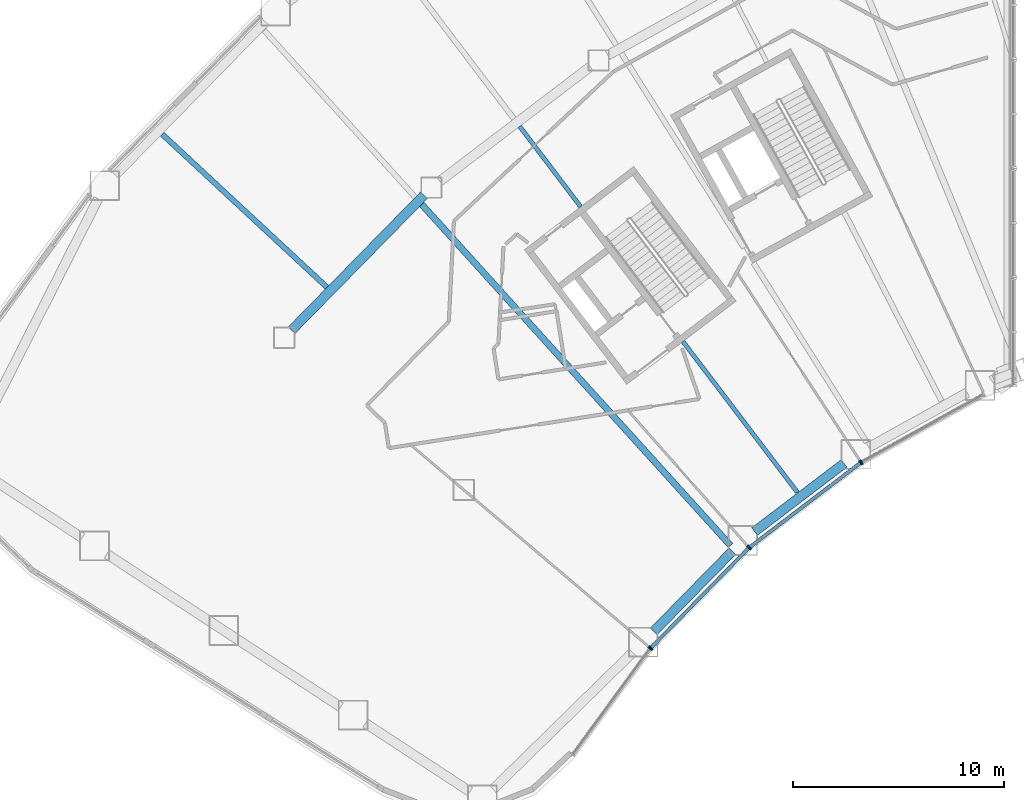
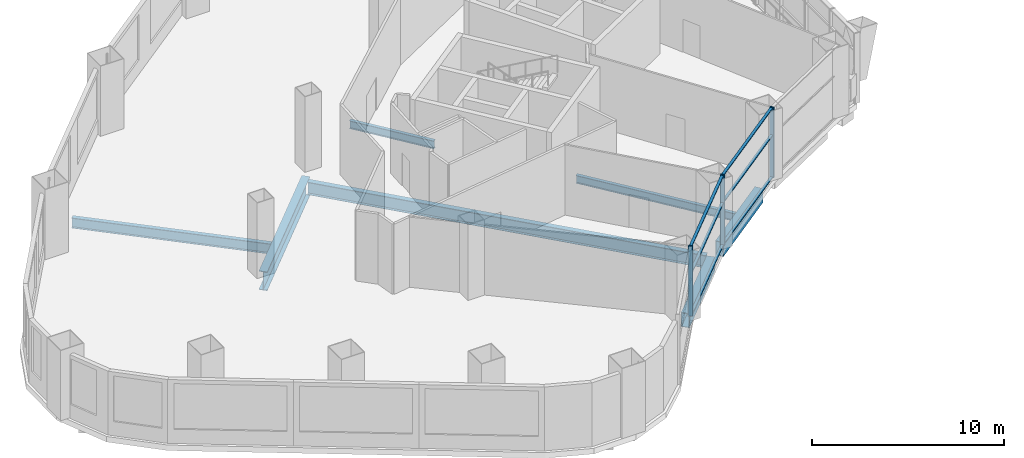
# One storey, part 4 of 26: 12 members, 7 beams, 4 elements without a shape of their own.
"""IFC4 building model written with IfcOpenShell, lengths in metres."""

from ifc_helpers import new_model, si_unit, direction, frame, origin, origin_2d, place, context, subcontext, project, spatial, rectangle, hollow_rectangle, i_section, extrude, material, layer, layer_set, material_profile, profile_set, type_object, element, aggregate, save


model = new_model("IFC4")

# Units and contexts
model_context = context("Model", 3, precision=1e-05, world=origin(), true_north=direction((0.0, 1.0)))
body_context = subcontext(model_context, "Body", "Model", "MODEL_VIEW")
ifc_project = project(units=[si_unit("LENGTHUNIT", "METRE"), si_unit("AREAUNIT", "SQUARE_METRE"), si_unit("VOLUMEUNIT", "CUBIC_METRE"), si_unit("PLANEANGLEUNIT", "RADIAN"), si_unit("MASSUNIT", "GRAM", prefix="KILO")], contexts=[model_context])

# Site, building, storey
site_placement = place(None, origin())
site = spatial("IfcSite", under=ifc_project, at=site_placement, CompositionType="ELEMENT")
building_placement = place(site_placement, origin())
building = spatial("IfcBuilding", under=site, at=building_placement, Name="Tuul Gate Civic Tower", CompositionType="ELEMENT")
storey_placement = place(building_placement, frame((0.0, 0.0, 7.5)))
storey = spatial("IfcBuildingStorey", under=building, at=storey_placement, Name="Level 01", CompositionType="ELEMENT", Elevation=7.5)

# Curtain wall, member
ifc_material_1 = material(Name="Aluminium", Category="aluminium")
ifc_layer = layer(ifc_material_1, 0.199951171875)
ifc_layer_set = layer_set([ifc_layer], Name="Aluminium")
curtain_wall_type = type_object("IfcCurtainWallType", Name="Curtain wall CW6", PredefinedType="NOTDEFINED", material=ifc_layer_set)
curtain_wall_1_placement = place(storey_placement, origin())
curtain_wall_1 = element("IfcCurtainWall", 1, at=curtain_wall_1_placement, inside=storey, type_object=curtain_wall_type, Name="Curtain wall CW6", PredefinedType="NOTDEFINED")
ifc_material_2 = material(Name="Aluminium", Category="aluminium")
ifc_material_profile_1 = material_profile(ifc_material_2, rectangle(XDim=0.239990234375, YDim=0.06005859375, at=origin_2d()), Name="CW6 mullion")
ifc_profile_set_1 = profile_set([ifc_material_profile_1], Name="Aluminium")
member_type_1 = type_object("IfcMemberType", Name="CW6 mullion", PredefinedType="MULLION", material=ifc_profile_set_1)
member_1_placement = place(storey_placement, frame((-35.165771484375, -30.231201171875, 0.0), z_axis=(0.0, 0.0, 1.0), x_axis=(-0.807581267597, 0.589756302404, 0.0)))
member_1 = element("IfcMember", 2, at=member_1_placement, type_object=member_type_1, Name="Mullion", PredefinedType="MULLION", context=body_context, shape_type="SweptSolid", body=[
    extrude(rectangle(XDim=0.239990234375, YDim=0.06005859375, at=origin_2d()), origin(), (0.0, 0.0, 1.0), 4.449951171875),
])
aggregate(curtain_wall_1, [member_1])

# Curtain wall, members
curtain_wall_2_placement = place(storey_placement, origin())
curtain_wall_2 = element("IfcCurtainWall", 3, at=curtain_wall_2_placement, inside=storey, type_object=curtain_wall_type, Name="Curtain wall CW6", PredefinedType="NOTDEFINED")
member_2_placement = place(storey_placement, frame((-35.126953125, -30.185546875, 0.0), z_axis=(0.0, 0.0, 1.0), x_axis=(-0.714131733701, 0.700011333423, 0.0)))
member_2 = element("IfcMember", 4, at=member_2_placement, type_object=member_type_1, Name="Mullion", PredefinedType="MULLION", context=body_context, shape_type="SweptSolid", body=[
    extrude(rectangle(XDim=0.239990234375, YDim=0.06005859375, at=origin_2d()), origin(), (0.0, 0.0, 1.0), 4.449951171875),
])
member_3_placement = place(storey_placement, frame((-30.509033203125, -25.474365234375, 0.0), z_axis=(0.0, 0.0, 1.0), x_axis=(-0.714131733701, 0.700011333423, 0.0)))
member_3 = element("IfcMember", 5, at=member_3_placement, type_object=member_type_1, Name="Mullion", PredefinedType="MULLION", context=body_context, shape_type="SweptSolid", body=[
    extrude(rectangle(XDim=0.239990234375, YDim=0.06005859375, at=origin_2d()), origin(), (0.0, 0.0, 1.0), 4.449951171875),
])

curtain_wall_3_placement = place(storey_placement, origin())
curtain_wall_3 = element("IfcCurtainWall", 6, at=curtain_wall_3_placement, inside=storey, type_object=curtain_wall_type, Name="Curtain wall CW6", PredefinedType="NOTDEFINED")
member_4_placement = place(storey_placement, frame((-30.464111328125, -25.434814453125, 0.0), z_axis=(0.0, 0.0, 1.0), x_axis=(-0.605776174218, 0.795635109048, 0.0)))
member_4 = element("IfcMember", 7, at=member_4_placement, type_object=member_type_1, Name="Mullion", PredefinedType="MULLION", context=body_context, shape_type="SweptSolid", body=[
    extrude(rectangle(XDim=0.239990234375, YDim=0.06005859375, at=origin_2d()), origin(), (0.0, 0.0, 1.0), 4.449951171875),
])
member_5_placement = place(storey_placement, frame((-25.21484375, -21.438232421875, 0.0), z_axis=(0.0, 0.0, 1.0), x_axis=(-0.605776174218, 0.795635109048, 0.0)))
member_5 = element("IfcMember", 8, at=member_5_placement, type_object=member_type_1, Name="Mullion", PredefinedType="MULLION", context=body_context, shape_type="SweptSolid", body=[
    extrude(rectangle(XDim=0.239990234375, YDim=0.06005859375, at=origin_2d()), origin(), (0.0, 0.0, 1.0), 4.449951171875),
])

# Curtain wall, member
curtain_wall_4_placement = place(storey_placement, origin())
curtain_wall_4 = element("IfcCurtainWall", 9, at=curtain_wall_4_placement, inside=storey, type_object=curtain_wall_type, Name="Curtain wall CW6", PredefinedType="NOTDEFINED")
member_6_placement = place(storey_placement, frame((-25.164794921875, -21.405517578125, 0.0), z_axis=(0.0, 0.0, 1.0), x_axis=(-0.484724404523, 0.87466693756, 0.0)))
member_6 = element("IfcMember", 10, at=member_6_placement, type_object=member_type_1, Name="Mullion", PredefinedType="MULLION", context=body_context, shape_type="SweptSolid", body=[
    extrude(rectangle(XDim=0.239990234375, YDim=0.06005859375, at=origin_2d()), origin(), (0.0, 0.0, 1.0), 4.449951171875),
])
aggregate(curtain_wall_4, [member_6])

# Member
ifc_material_3 = material(Name="Aluminium", Category="aluminium")
ifc_material_profile_2 = material_profile(ifc_material_3, rectangle(XDim=0.159912109375, YDim=0.06005859375, at=origin_2d()), Name="CW6 transom")
ifc_profile_set_2 = profile_set([ifc_material_profile_2], Name="Aluminium")
member_type_2 = type_object("IfcMemberType", Name="CW6 transom", PredefinedType="USERDEFINED", material=ifc_profile_set_2)
member_7_placement = place(storey_placement, frame((-35.10595703125, -30.1640625, 0.030029296875), z_axis=(0.700012783767, 0.714130312032, 0.0), x_axis=(-0.714130312032, 0.700012783767, 0.0)))
member_7 = element("IfcMember", 11, at=member_7_placement, type_object=member_type_2, Name="Transom", ObjectType="TRANSOM", PredefinedType="USERDEFINED", context=body_context, shape_type="SweptSolid", body=[
    extrude(rectangle(XDim=0.159912109375, YDim=0.06005859375, at=origin_2d()), origin(), (0.0, 0.0, 1.0), 6.536865234375),
])

member_8_placement = place(storey_placement, frame((-35.10595703125, -30.1640625, 2.699951171875), z_axis=(0.700012783767, 0.714130312032, 0.0), x_axis=(-0.714130312032, 0.700012783767, 0.0)))
member_8 = element("IfcMember", 12, at=member_8_placement, type_object=member_type_2, Name="Transom", ObjectType="TRANSOM", PredefinedType="USERDEFINED", context=body_context, shape_type="SweptSolid", body=[
    extrude(rectangle(XDim=0.159912109375, YDim=0.06005859375, at=origin_2d()), origin(), (0.0, 0.0, 1.0), 6.536865234375),
])

member_9_placement = place(storey_placement, frame((-35.10595703125, -30.1640625, 4.419921875), z_axis=(0.700012783767, 0.714130312032, 0.0), x_axis=(-0.714130312032, 0.700012783767, 0.0)))
member_9 = element("IfcMember", 13, at=member_9_placement, type_object=member_type_2, Name="Transom", ObjectType="TRANSOM", PredefinedType="USERDEFINED", context=body_context, shape_type="SweptSolid", body=[
    extrude(rectangle(XDim=0.159912109375, YDim=0.06005859375, at=origin_2d()), origin(), (0.0, 0.0, 1.0), 6.536865234375),
])

aggregate(curtain_wall_2, [member_2, member_3, member_7, member_8, member_9])

member_10_placement = place(storey_placement, frame((-30.440185546875, -25.416748046875, 0.030029296875), z_axis=(0.79561856404, 0.605797904053, 0.0), x_axis=(-0.605797904053, 0.79561856404, 0.0)))
member_10 = element("IfcMember", 14, at=member_10_placement, type_object=member_type_2, Name="Transom", ObjectType="TRANSOM", PredefinedType="USERDEFINED", context=body_context, shape_type="SweptSolid", body=[
    extrude(rectangle(XDim=0.159912109375, YDim=0.06005859375, at=origin_2d()), origin(), (0.0, 0.0, 1.0), 6.53759765625),
])

member_11_placement = place(storey_placement, frame((-30.440185546875, -25.416748046875, 2.699951171875), z_axis=(0.79561856404, 0.605797904053, 0.0), x_axis=(-0.605797904053, 0.79561856404, 0.0)))
member_11 = element("IfcMember", 15, at=member_11_placement, type_object=member_type_2, Name="Transom", ObjectType="TRANSOM", PredefinedType="USERDEFINED", context=body_context, shape_type="SweptSolid", body=[
    extrude(rectangle(XDim=0.159912109375, YDim=0.06005859375, at=origin_2d()), origin(), (0.0, 0.0, 1.0), 6.53759765625),
])

member_12_placement = place(storey_placement, frame((-30.440185546875, -25.416748046875, 4.419921875), z_axis=(0.79561856404, 0.605797904053, 0.0), x_axis=(-0.605797904053, 0.79561856404, 0.0)))
member_12 = element("IfcMember", 16, at=member_12_placement, type_object=member_type_2, Name="Transom", ObjectType="TRANSOM", PredefinedType="USERDEFINED", context=body_context, shape_type="SweptSolid", body=[
    extrude(rectangle(XDim=0.159912109375, YDim=0.06005859375, at=origin_2d()), origin(), (0.0, 0.0, 1.0), 6.53759765625),
])

aggregate(curtain_wall_3, [member_4, member_5, member_10, member_11, member_12])

# Beams
ifc_material_4 = material(Name="Steel S355", Category="steel")
ifc_material_profile_3 = material_profile(ifc_material_4, i_section(OverallWidth=0.199951171875, OverallDepth=0.5, WebThickness=0.010009765625, FlangeThickness=0.01611328125, at=origin_2d()), Name="PG500x200x10x16")
ifc_profile_set_3 = profile_set([ifc_material_profile_3], Name="Steel S355")
beam_type_1 = type_object("IfcBeamType", Name="STR-FLOOR BEAM-PG500x200x10x16", PredefinedType="BEAM", material=ifc_profile_set_3)
beam_1_placement = place(storey_placement, frame((-28.20361328125, -22.83447265625, -0.60009765625), z_axis=(-0.604507057629, 0.796599784884, 0.0), x_axis=(-0.796599784884, -0.604507057629, 0.0)))
element("IfcBeam", 17, at=beam_1_placement, inside=storey, type_object=beam_type_1, Name="Floor beam", PredefinedType="BEAM", context=body_context, shape_type="SweptSolid", body=[
    extrude(i_section(OverallWidth=0.199951171875, OverallDepth=0.5, WebThickness=0.010009765625, FlangeThickness=0.01611328125, at=origin_2d()), origin(), (0.0, 0.0, 1.0), 8.951416015625),
])
beam_2_placement = place(storey_placement, frame((-38.45068359375, -9.3310546875, -0.60009765625), z_axis=(-0.604539816506, 0.796574924448, 0.0), x_axis=(-0.796574924448, -0.604539816506, 0.0)))
element("IfcBeam", 18, at=beam_2_placement, inside=storey, type_object=beam_type_1, Name="Floor beam", PredefinedType="BEAM", context=body_context, shape_type="SweptSolid", body=[
    extrude(i_section(OverallWidth=0.199951171875, OverallDepth=0.5, WebThickness=0.010009765625, FlangeThickness=0.01611328125, at=origin_2d()), origin(), (0.0, 0.0, 1.0), 4.77392578125),
])
ifc_material_5 = material(Name="Steel S355", Category="steel")
ifc_material_profile_4 = material_profile(ifc_material_5, i_section(OverallWidth=0.25, OverallDepth=0.64990234375, WebThickness=0.011962890625, FlangeThickness=0.02001953125, at=origin_2d()), Name="PG650x250x12x20")
ifc_profile_set_4 = profile_set([ifc_material_profile_4], Name="Steel S355")
beam_type_2 = type_object("IfcBeamType", Name="STR-FLOOR BEAM-PG650x250x12x20", PredefinedType="BEAM", material=ifc_profile_set_4)
beam_3_placement = place(storey_placement, frame((-50.448974609375, -13.139404296875, -0.675048828125), z_axis=(-0.732685493637, 0.680567386387, 0.0), x_axis=(-0.680567386387, -0.732685493637, 0.0)))
element("IfcBeam", 19, at=beam_3_placement, inside=storey, type_object=beam_type_2, Name="Floor beam", PredefinedType="BEAM", context=body_context, shape_type="SweptSolid", body=[
    extrude(i_section(OverallWidth=0.25, OverallDepth=0.64990234375, WebThickness=0.011962890625, FlangeThickness=0.02001953125, at=origin_2d()), origin(), (0.0, 0.0, 1.0), 10.62890625),
])
ifc_material_6 = material(Name="Steel S355", Category="steel")
ifc_material_profile_5 = material_profile(ifc_material_6, i_section(OverallWidth=0.300048828125, OverallDepth=0.800048828125, WebThickness=0.013916015625, FlangeThickness=0.02490234375, at=origin_2d()), Name="PG800x300x14x25")
ifc_profile_set_5 = profile_set([ifc_material_profile_5], Name="Steel S355")
beam_type_3 = type_object("IfcBeamType", Name="STR-FLOOR BEAM-PG800x300x14x25", PredefinedType="BEAM", material=ifc_profile_set_5)
beam_4_placement = place(storey_placement, frame((-31.366455078125, -25.35009765625, -0.75), z_axis=(-0.671111274621, 0.741356632854, 0.0), x_axis=(-0.741356632854, -0.671111274621, 0.0)))
element("IfcBeam", 20, at=beam_4_placement, inside=storey, type_object=beam_type_3, Name="Floor beam", PredefinedType="BEAM", context=body_context, shape_type="SweptSolid", body=[
    extrude(i_section(OverallWidth=0.300048828125, OverallDepth=0.800048828125, WebThickness=0.013916015625, FlangeThickness=0.02490234375, at=origin_2d()), origin(), (0.0, 0.0, 1.0), 21.763916015625),
])
ifc_material_7 = material(Name="Steel S355", Category="steel")
ifc_material_profile_6 = material_profile(ifc_material_7, i_section(OverallWidth=0.449951171875, OverallDepth=1.199951171875, WebThickness=0.02001953125, FlangeThickness=0.0400390625, at=origin_2d()), Name="PG1200x450x20x40")
ifc_profile_set_6 = profile_set([ifc_material_profile_6], Name="Steel S355")
beam_type_4 = type_object("IfcBeamType", Name="STR-RING BEAM-PG1200x450x20x40", PredefinedType="BEAM", material=ifc_profile_set_6)
beam_5_placement = place(storey_placement, frame((-52.121337890625, -15.1669921875, -0.949951171875), z_axis=(0.700011333418, 0.714131733706, 0.0), x_axis=(-0.714131733706, 0.700011333418, 0.0)))
element("IfcBeam", 21, at=beam_5_placement, inside=storey, type_object=beam_type_4, Name="Ring girder", PredefinedType="BEAM", context=body_context, shape_type="SweptSolid", body=[
    extrude(i_section(OverallWidth=0.449951171875, OverallDepth=1.199951171875, WebThickness=0.02001953125, FlangeThickness=0.0400390625, at=origin_2d()), origin(), (0.0, 0.0, 1.0), 8.93896484375),
])
ifc_material_8 = material(Name="Steel S355", Category="steel")
ifc_material_profile_7 = material_profile(ifc_material_8, hollow_rectangle(XDim=0.449951171875, YDim=0.89990234375, WallThickness=0.02490234375, at=origin_2d()), Name="BOX900x450x25")
ifc_profile_set_7 = profile_set([ifc_material_profile_7], Name="Steel S355")
beam_type_5 = type_object("IfcBeamType", Name="STR-SPANDREL BEAM-BOX900x450x25", PredefinedType="BEAM", material=ifc_profile_set_7)
beam_6_placement = place(storey_placement, frame((-35.001953125, -29.416015625, -0.800048828125), z_axis=(0.700007662648, 0.714135331876, 0.0), x_axis=(-0.714135331876, 0.700007662648, 0.0)))
element("IfcBeam", 22, at=beam_6_placement, inside=storey, type_object=beam_type_5, Name="Spandrel beam", PredefinedType="BEAM", context=body_context, shape_type="SweptSolid", body=[
    extrude(hollow_rectangle(XDim=0.449951171875, YDim=0.89990234375, WallThickness=0.02490234375, at=origin_2d()), origin(), (0.0, 0.0, 1.0), 5.322509765625),
])
beam_7_placement = place(storey_placement, frame((-30.22900390625, -24.69091796875, -0.800048828125), z_axis=(0.795624397763, 0.605790242315, 0.0), x_axis=(-0.605790242315, 0.795624397763, 0.0)))
element("IfcBeam", 23, at=beam_7_placement, inside=storey, type_object=beam_type_5, Name="Spandrel beam", PredefinedType="BEAM", context=body_context, shape_type="SweptSolid", body=[
    extrude(hollow_rectangle(XDim=0.449951171875, YDim=0.89990234375, WallThickness=0.02490234375, at=origin_2d()), origin(), (0.0, 0.0, 1.0), 5.32177734375),
])

save(model, "model.ifc")
